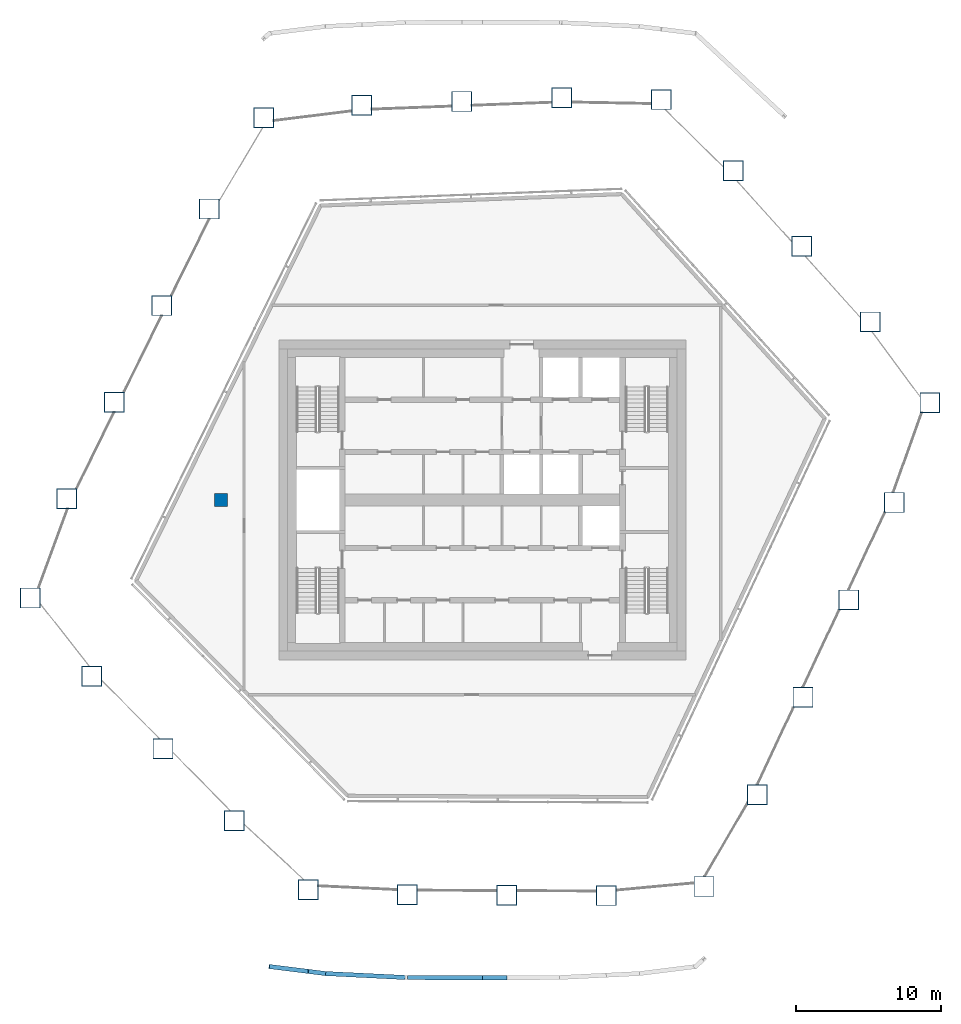
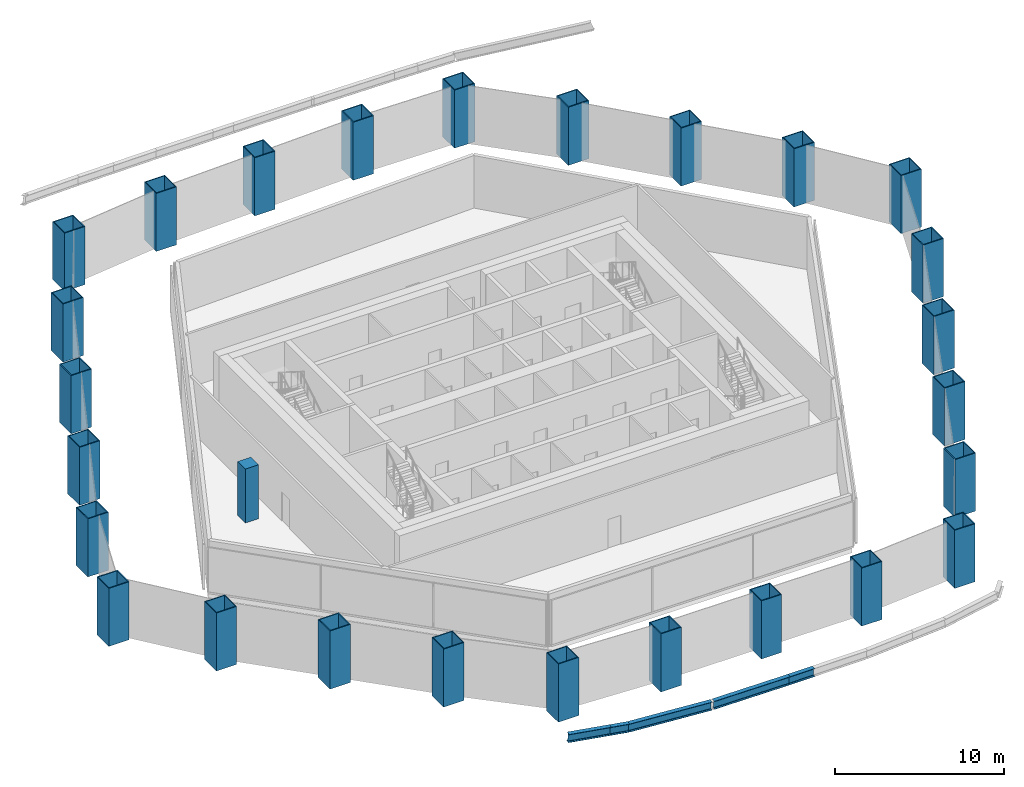
# One storey, part 1 of 18: 27 columns, 5 members.
"""IFC4 building model written with IfcOpenShell, lengths in metres."""

from ifc_helpers import new_model, si_unit, direction, frame, origin, origin_2d, place, context, subcontext, project, spatial, rectangle, hollow_rectangle, i_section, extrude, material, material_profile, profile_set, type_object, element, save


model = new_model("IFC4")

# Units and contexts
model_context = context("Model", 3, precision=1e-05, world=origin(), true_north=direction((0.0, 1.0)))
body_context = subcontext(model_context, "Body", "Model", "MODEL_VIEW")
ifc_project = project(units=[si_unit("LENGTHUNIT", "METRE"), si_unit("AREAUNIT", "SQUARE_METRE"), si_unit("VOLUMEUNIT", "CUBIC_METRE"), si_unit("PLANEANGLEUNIT", "RADIAN"), si_unit("MASSUNIT", "GRAM", prefix="KILO")], contexts=[model_context])

# Site, building, storey
site_placement = place(None, origin())
site = spatial("IfcSite", under=ifc_project, at=site_placement, CompositionType="ELEMENT")
building_placement = place(site_placement, origin())
building = spatial("IfcBuilding", under=site, at=building_placement, Name="Dongbaek Canopy Tower", CompositionType="ELEMENT")
storey_placement = place(building_placement, frame((0.0, 0.0, 371.60009765625)))
storey = spatial("IfcBuildingStorey", under=building, at=storey_placement, Name="L80", CompositionType="ELEMENT", Elevation=371.60009765625)

# Columns
ifc_material_1 = material(Name="Steel S355", Category="steel")
ifc_material_profile_1 = material_profile(ifc_material_1, hollow_rectangle(XDim=1.39990234375, YDim=1.39990234375, WallThickness=0.06005859375, at=origin_2d()), Name="COLUMN BOX 1400x1400x60 Steel S355")
ifc_profile_set_1 = profile_set([ifc_material_profile_1], Name="Steel S355")
column_type_1 = type_object("IfcColumnType", Name="COLUMN BOX 1400x1400x60 Steel S355", PredefinedType="COLUMN", material=ifc_profile_set_1)
for number, where, z_axis, x_axis, name in (
    (1, (-31.12890625, -6.7451171875, 0.0), (0.0, 0.0, 1.0), (1.0, 0.0, 0.0), "CANOPYCOL:CCN-09:L80"),
    (2, (-26.888916015625, -12.134033203125, 0.0), (0.0, 0.0, 1.0), (1.0, 0.0, 0.0), "CANOPYCOL:CCN-08:L80"),
    (3, (-21.986083984375, -17.112060546875, 0.0), (0.0, 0.0, 1.0), (1.0, 0.0, 0.0), "CANOPYCOL:CCN-07:L80"),
    (4, (-17.083984375, -22.089111328125, 0.0), (0.0, 0.0, 1.0), (1.0, 0.0, 0.0), "CANOPYCOL:CCN-06:L80"),
    (5, (-11.985107421875, -26.8310546875, 0.0), (0.0, 0.0, 1.0), (1.0, 0.0, 0.0), "CANOPYCOL:CCN-05:L80"),
    (6, (-5.166015625, -27.1669921875, 0.0), (0.0, 0.0, 1.0), (1.0, 0.0, 0.0), "CANOPYCOL:CCN-04:L80"),
    (7, (1.68310546875, -27.197021484375, 0.0), (0.0, 0.0, 1.0), (1.0, 0.0, 0.0), "CANOPYCOL:CCN-03:L80"),
    (8, (8.533935546875, -27.22705078125, 0.0), (0.0, 0.0, 1.0), (1.0, 0.0, 0.0), "CANOPYCOL:CCN-02:L80"),
    (9, (15.251953125, -26.60693359375, 0.0), (0.0, 0.0, 1.0), (1.0, 0.0, 0.0), "CANOPYCOL:CCN-01:L80"),
    (10, (18.925048828125, -20.2958984375, 0.0), (0.0, 0.0, 1.0), (1.0, 0.0, 0.0), "CANOPYCOL:CCN-26:L80"),
    (11, (22.068115234375, -13.587890625, 0.0), (0.0, 0.0, 1.0), (1.0, 0.0, 0.0), "CANOPYCOL:CCN-25:L80"),
    (12, (25.2099609375, -6.87890625, 0.0), (0.0, 0.0, 1.0), (1.0, 0.0, 0.0), "CANOPYCOL:CCN-24:L80"),
    (13, (28.35107421875, -0.169921875, 0.0), (0.0, 0.0, 1.0), (1.0, 0.0, 0.0), "CANOPYCOL:CCN-23:L80"),
    (14, (30.804931640625, 6.697998046875, 0.0), (0.0, 0.0, 1.0), (1.0, 0.0, 0.0), "CANOPYCOL:CCN-22:L80"),
    (15, (26.702880859375, 12.257080078125, 0.0), (0.0, 0.0, 1.0), (1.0, 0.0, 0.0), "CANOPYCOL:CCN-21:L80"),
    (16, (21.989990234375, 17.4619140625, 0.0), (0.0, 0.0, 1.0), (1.0, 0.0, 0.0), "CANOPYCOL:CCN-20:L80"),
    (17, (17.27587890625, 22.666015625, 0.0), (0.0, 0.0, 1.0), (1.0, 0.0, 0.0), "CANOPYCOL:CCN-19:L80"),
    (18, (12.31396484375, 27.56298828125, 0.0), (0.0, 0.0, 1.0), (1.0, 0.0, 0.0), "CANOPYCOL:CCN-18:L80"),
    (19, (5.470947265625, 27.69189453125, 0.0), (0.0, 0.0, 1.0), (1.0, 0.0, 0.0), "CANOPYCOL:CCN-17:L80"),
    (20, (-1.41796875, 27.427978515625, 0.0), (0.0, 0.0, 1.0), (1.0, 0.0, 0.0), "CANOPYCOL:CCN-16:L80"),
    (21, (-8.30908203125, 27.1640625, 0.0), (0.0, 0.0, 1.0), (1.0, 0.0, 0.0), "CANOPYCOL:CCN-15:L80"),
    (22, (-15.06201171875, 26.321044921875, 0.0), (0.0, 0.0, 1.0), (1.0, 0.0, 0.0), "CANOPYCOL:CCN-14:L80"),
    (23, (-18.805908203125, 20.031982421875, 0.0), (0.0, 0.0, 1.0), (1.0, 0.0, 0.0), "CANOPYCOL:CCN-13:L80"),
    (24, (-22.075927734375, 13.384033203125, 0.0), (0.0, 0.0, 1.0), (1.0, 0.0, 0.0), "CANOPYCOL:CCN-12:L80"),
    (25, (-25.346923828125, 6.735107421875, 0.0), (0.0, 0.0, 1.0), (1.0, 0.0, 0.0), "CANOPYCOL:CCN-11:L80"),
    (26, (-28.616943359375, 0.0859375, 0.0), (0.0, 0.0, 1.0), (1.0, 0.0, 0.0), "CANOPYCOL:CCN-10:L80"),
):
    element("IfcColumn", number, at=place(storey_placement, frame(where, z_axis=z_axis, x_axis=x_axis)), inside=storey, type_object=column_type_1, Name=name, PredefinedType="COLUMN", context=body_context, shape_type="SweptSolid", body=[
        extrude(hollow_rectangle(XDim=1.39990234375, YDim=1.39990234375, WallThickness=0.06005859375, at=origin_2d()), origin(), (0.0, 0.0, 1.0), 4.199951171875),
    ])
ifc_material_2 = material(Name="Concrete C60", Category="concrete")
ifc_material_profile_2 = material_profile(ifc_material_2, rectangle(XDim=0.89990234375, YDim=0.89990234375, at=origin_2d()), Name="RC COLUMN 900x900 C60")
ifc_profile_set_2 = profile_set([ifc_material_profile_2], Name="Concrete C60")
column_type_2 = type_object("IfcColumnType", Name="RC COLUMN 900x900 C60", PredefinedType="COLUMN", material=ifc_profile_set_2)
column_placement = place(storey_placement, frame((-18.0, 0.0, 0.0), z_axis=(0.0, 0.0, 1.0), x_axis=(1.0, 0.0, 0.0)))
element("IfcColumn", 27, at=column_placement, inside=storey, type_object=column_type_2, Name="COL:CIC-01:L80", PredefinedType="COLUMN", context=body_context, shape_type="SweptSolid", body=[
    extrude(rectangle(XDim=0.89990234375, YDim=0.89990234375, at=origin_2d()), origin(), (0.0, 0.0, 1.0), 3.89990234375),
])

# Members
ifc_material_3 = material(Name="Steel S355", Category="steel")
ifc_material_profile_3 = material_profile(ifc_material_3, i_section(OverallWidth=0.300048828125, OverallDepth=0.587890625, WebThickness=0.011962890625, FlangeThickness=0.02001953125, FilletRadius=0.028076171875, at=origin_2d()), Name="EAVES BEAM H 588x300x12x20 Steel S355")
ifc_profile_set_3 = profile_set([ifc_material_profile_3], Name="Steel S355")
member_type = type_object("IfcMemberType", Name="EAVES BEAM H 588x300x12x20 Steel S355", PredefinedType="MEMBER", material=ifc_profile_set_3)
member_1_placement = place(storey_placement, frame((-14.6748046875, -32.113525390625, 2.385009765625), z_axis=(0.989326824948, -0.123564828096, -0.07722801756), x_axis=(0.123934965207, 0.992290342792, 0.0)))
element("IfcMember", 28, at=member_1_placement, inside=storey, type_object=member_type, Name="EAVE:10", PredefinedType="MEMBER", context=body_context, shape_type="SweptSolid", body=[
    extrude(i_section(OverallWidth=0.300048828125, OverallDepth=0.587890625, WebThickness=0.011962890625, FlangeThickness=0.02001953125, FilletRadius=0.028076171875, at=origin_2d()), origin(), (0.0, 0.0, 1.0), 2.71875),
])
member_2_placement = place(storey_placement, frame((-11.985107421875, -32.449462890625, 2.175048828125), z_axis=(0.989339211259, -0.123435573327, -0.077276026707), x_axis=(0.123805785184, 0.992306468564, 0.0)))
element("IfcMember", 29, at=member_2_placement, inside=storey, type_object=member_type, Name="EAVE:11", PredefinedType="MEMBER", context=body_context, shape_type="SweptSolid", body=[
    extrude(i_section(OverallWidth=0.300048828125, OverallDepth=0.587890625, WebThickness=0.011962890625, FlangeThickness=0.02001953125, FilletRadius=0.028076171875, at=origin_2d()), origin(), (0.0, 0.0, 1.0), 1.184814453125),
])
member_3_placement = place(storey_placement, frame((-10.81298828125, -32.595703125, 2.08349609375), z_axis=(0.998317207746, -0.04919719976, -0.030698342862), x_axis=(0.049220397589, 0.998787941688, 0.0)))
element("IfcMember", 30, at=member_3_placement, inside=storey, type_object=member_type, Name="EAVE:12", PredefinedType="MEMBER", context=body_context, shape_type="SweptSolid", body=[
    extrude(i_section(OverallWidth=0.300048828125, OverallDepth=0.587890625, WebThickness=0.011962890625, FlangeThickness=0.02001953125, FilletRadius=0.028076171875, at=origin_2d()), origin(), (0.0, 0.0, 1.0), 5.50341796875),
])
member_4_placement = place(storey_placement, frame((-5.166015625, -32.8671875, 1.9140625), z_axis=(0.999986791868, -0.00434776866, -0.00274098459), x_axis=(0.004347784993, 0.999990548338, 0.0)))
element("IfcMember", 31, at=member_4_placement, inside=storey, type_object=member_type, Name="EAVE:14", PredefinedType="MEMBER", context=body_context, shape_type="SweptSolid", body=[
    extrude(i_section(OverallWidth=0.300048828125, OverallDepth=0.587890625, WebThickness=0.011962890625, FlangeThickness=0.02001953125, FilletRadius=0.028076171875, at=origin_2d()), origin(), (0.0, 0.0, 1.0), 5.166015625),
])
member_5_placement = place(storey_placement, frame((0.0, -32.8896484375, 1.89990234375), z_axis=(0.999986734186, 0.004351552368, 0.002755983166), x_axis=(-0.004351568894, 0.999990531879, 0.0)))
element("IfcMember", 32, at=member_5_placement, inside=storey, type_object=member_type, Name="EAVE:15", PredefinedType="MEMBER", context=body_context, shape_type="SweptSolid", body=[
    extrude(i_section(OverallWidth=0.300048828125, OverallDepth=0.587890625, WebThickness=0.011962890625, FlangeThickness=0.02001953125, FilletRadius=0.028076171875, at=origin_2d()), origin(), (0.0, 0.0, 1.0), 1.68310546875),
])

save(model, "model.ifc")
